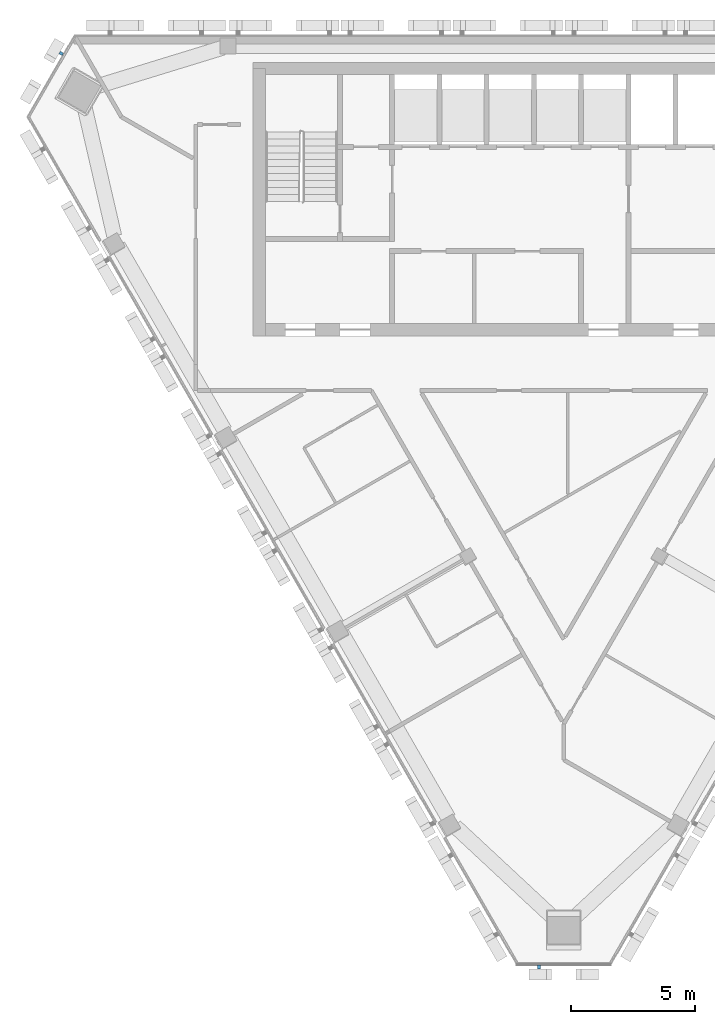
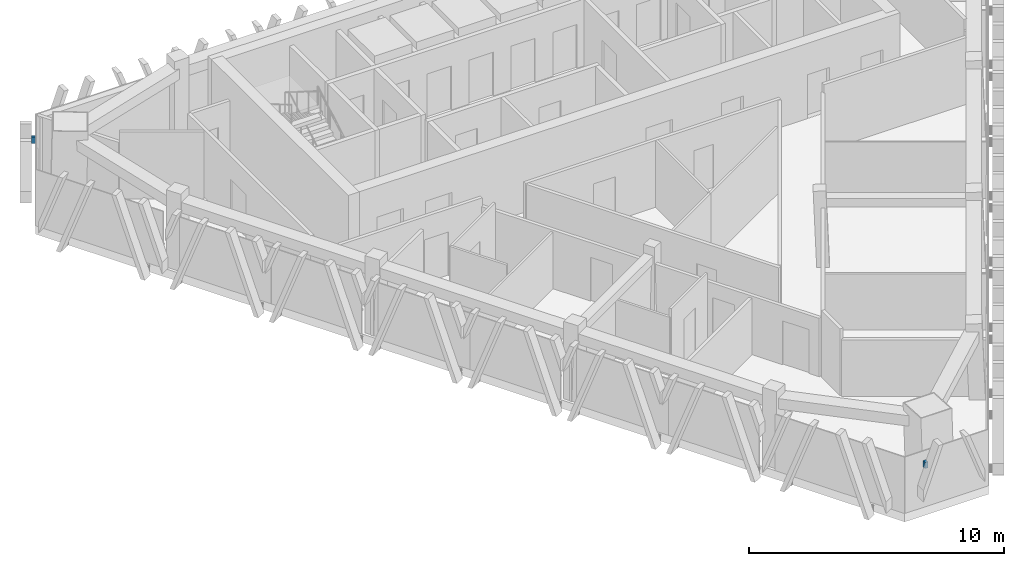
# One storey, part 9 of 12: 2 discrete accessories.
"""IFC4 building model written with IfcOpenShell, lengths in metres."""

from ifc_helpers import new_model, si_unit, direction, frame, origin, place, context, subcontext, project, spatial, polyline, outline, extrude, source, transform, mapped, material, type_object, element, save


model = new_model("IFC4")

# Units and contexts
model_context = context("Model", 3, precision=1e-05, world=origin(), true_north=direction((0.0, 1.0)))
body_context = subcontext(model_context, "Body", "Model", "MODEL_VIEW")
ifc_project = project(units=[si_unit("LENGTHUNIT", "METRE"), si_unit("AREAUNIT", "SQUARE_METRE"), si_unit("VOLUMEUNIT", "CUBIC_METRE"), si_unit("PLANEANGLEUNIT", "RADIAN"), si_unit("MASSUNIT", "GRAM", prefix="KILO")], contexts=[model_context])

# Site, building, storey
site_placement = place(None, origin())
site = spatial("IfcSite", under=ifc_project, at=site_placement, CompositionType="ELEMENT")
building_placement = place(site_placement, origin())
building = spatial("IfcBuilding", under=site, at=building_placement, Name="Altiplano Prism Tower", CompositionType="ELEMENT")
storey_placement = place(building_placement, frame((0.0, 0.0, 316.60009765625)))
storey = spatial("IfcBuildingStorey", under=building, at=storey_placement, Name="L82", CompositionType="ELEMENT", Elevation=316.60009765625)

# Discrete accessories
ifc_material = material(Name="Stainless steel", Category="steel")
discrete_accessory_type = type_object("IfcDiscreteAccessoryType", Name="Stone fin fixing prongs", PredefinedType="USERDEFINED", material=ifc_material)
shared_shape = source(origin(), body_context, "Body", "SweptSolid", [
    extrude(outline(polyline([(-1.06201171875, 2.34521484375), (-0.942138671875, 2.34521484375), (-0.942138671875, 2.645263671875), (-1.06201171875, 2.645263671875), (-1.06201171875, 2.34521484375)])), frame((0.0, 0.0, 0.0), z_axis=(0.0, -1.0, 0.0), x_axis=(1.0, 0.0, 0.0)), (0.0, 0.0, 1.0), 0.14990234375),
])
discrete_accessory_1_placement = place(storey_placement, origin())
element("IfcDiscreteAccessory", 1, at=discrete_accessory_1_placement, inside=storey, type_object=discrete_accessory_type, Name="Fin fixings L82 north-west chamfer", ObjectType="BRACKET", PredefinedType="USERDEFINED", context=body_context, shape_type="MappedRepresentation", body=[
    mapped(shared_shape, transform((64.3525390625, 103.35107421875, -0.400146484375), x_axis=(-0.499999978961, -0.866025415932, 0.0), y_axis=(0.866025415932, -0.499999978961, 0.0), z_axis=(0.0, 0.0, 1.0))),
])
discrete_accessory_2_placement = place(storey_placement, origin())
element("IfcDiscreteAccessory", 2, at=discrete_accessory_2_placement, inside=storey, type_object=discrete_accessory_type, Name="Fin fixings L82 south chamfer", ObjectType="BRACKET", PredefinedType="USERDEFINED", context=body_context, shape_type="MappedRepresentation", body=[
    mapped(shared_shape, transform((85.0, 67.588623046875, -0.400146484375), x_axis=(1.0, 0.0, 0.0), y_axis=(0.0, 1.0, 0.0), z_axis=(0.0, 0.0, 1.0))),
])

save(model, "model.ifc")
